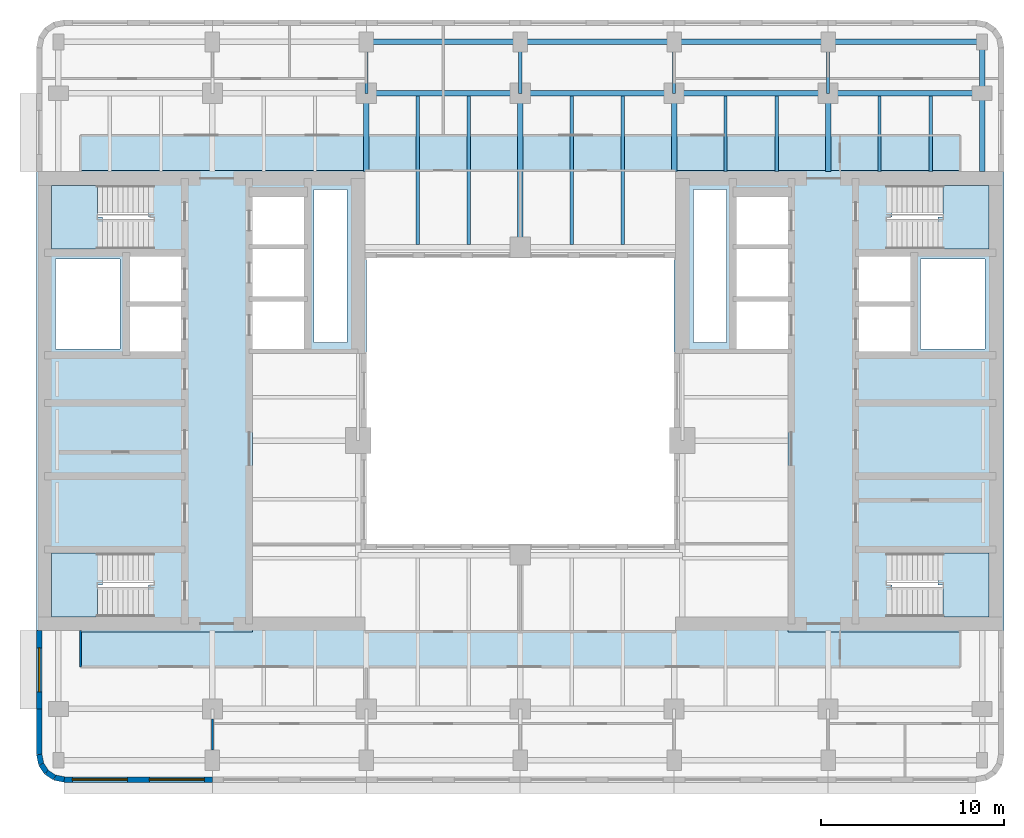
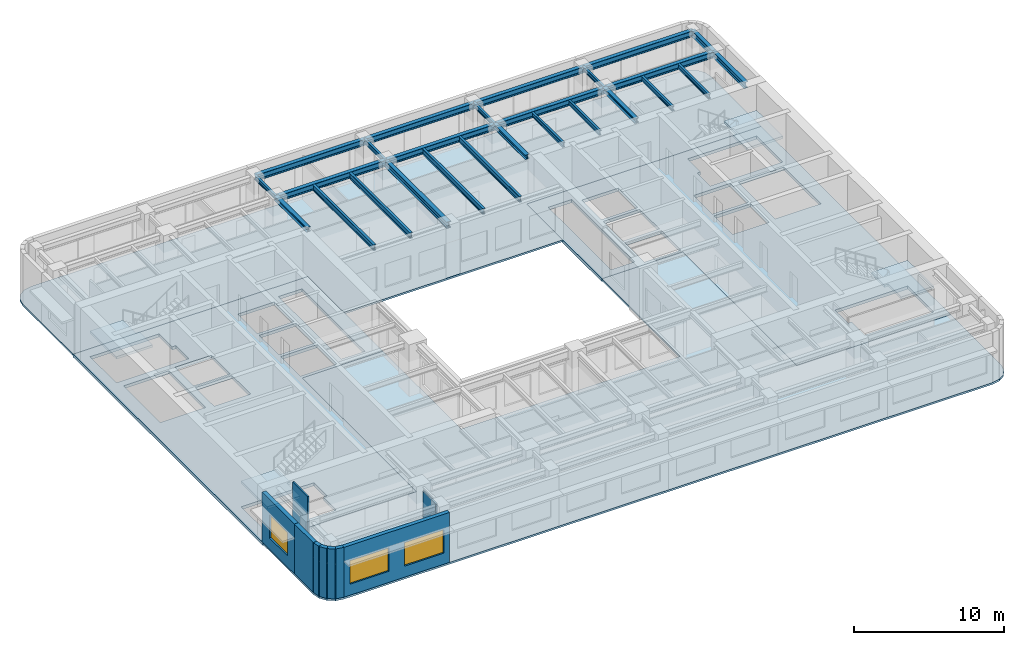
# One storey, part 2 of 11: 26 beams, 9 walls, 8 slabs, 3 windows, 3 openings, 4 elements without a shape of their own.
"""IFC4 building model written with IfcOpenShell, lengths in metres."""

from ifc_helpers import new_model, si_unit, direction, frame, frame_2d, origin, origin_2d, place, context, subcontext, project, spatial, polyline, rectangle, i_section, outline, extrude, material, layer, layer_set, material_profile, profile_set, type_object, element, fill, aggregate, save


model = new_model("IFC4")

# Units and contexts
model_context = context("Model", 3, precision=1e-05, world=origin(), true_north=direction((0.0, 1.0)))
body_context = subcontext(model_context, "Body", "Model", "MODEL_VIEW")
ifc_project = project(units=[si_unit("LENGTHUNIT", "METRE"), si_unit("AREAUNIT", "SQUARE_METRE"), si_unit("VOLUMEUNIT", "CUBIC_METRE"), si_unit("PLANEANGLEUNIT", "RADIAN"), si_unit("MASSUNIT", "GRAM", prefix="KILO")], contexts=[model_context])

# Site, building, storey
site_placement = place(None, origin())
site = spatial("IfcSite", under=ifc_project, at=site_placement, CompositionType="ELEMENT")
building_placement = place(site_placement, origin())
building = spatial("IfcBuilding", under=site, at=building_placement, Name="Claustro Exchange Tower", CompositionType="ELEMENT")
storey_placement = place(building_placement, frame((0.0, 0.0, 215.39990234375)))
storey = spatial("IfcBuildingStorey", under=building, at=storey_placement, Name="L49", CompositionType="ELEMENT", Elevation=215.39990234375)

# Beams
ifc_material_1 = material(Name="Steel S355", Category="steel")
ifc_material_profile_1 = material_profile(ifc_material_1, i_section(OverallWidth=0.169921875, OverallDepth=0.360107421875, WebThickness=0.008056640625, FlangeThickness=0.0126953125, FilletRadius=0.01806640625, at=origin_2d()), Name="IPE 360")
ifc_profile_set_1 = profile_set([ifc_material_profile_1], Name="Steel S355")
beam_type_1 = type_object("IfcBeamType", Name="B16 IPE 360 short-span beam", PredefinedType="BEAM", material=ifc_profile_set_1)
for number, where, z_axis, x_axis, name in (
    (1, (16.800048828125, 42.0, 3.8701171875), (0.0, 1.0, 0.0), (-1.0, 0.0, 0.0), "Beam B16 L50"),
    (2, (25.199951171875, 42.0, 3.8701171875), (0.0, 1.0, 0.0), (-1.0, 0.0, 0.0), "Beam B16 L50"),
    (3, (33.60009765625, 42.0, 3.8701171875), (0.0, 1.0, 0.0), (-1.0, 0.0, 0.0), "Beam B16 L50"),
    (4, (42.0, 42.0, 3.8701171875), (0.0, 1.0, 0.0), (-1.0, 0.0, 0.0), "Beam B16 L50"),
):
    element("IfcBeam", number, at=place(storey_placement, frame(where, z_axis=z_axis, x_axis=x_axis)), inside=storey, type_object=beam_type_1, Name=name, PredefinedType="BEAM", context=body_context, shape_type="SweptSolid", body=[
        extrude(i_section(OverallWidth=0.169921875, OverallDepth=0.360107421875, WebThickness=0.008056640625, FlangeThickness=0.0126953125, FilletRadius=0.01806640625, at=origin_2d()), origin(), (0.0, 0.0, 1.0), 2.800048828125),
    ])
for number, where, z_axis, x_axis, name in (
    (5, (36.39990234375, 37.72509765625, 3.8701171875), (0.0, 1.0, 0.0), (-1.0, 0.0, 0.0), "Beam B16 L50"),
    (6, (39.199951171875, 37.72509765625, 3.8701171875), (0.0, 1.0, 0.0), (-1.0, 0.0, 0.0), "Beam B16 L50"),
    (7, (44.800048828125, 37.72509765625, 3.8701171875), (0.0, 1.0, 0.0), (-1.0, 0.0, 0.0), "Beam B16 L50"),
    (8, (47.60009765625, 37.72509765625, 3.8701171875), (0.0, 1.0, 0.0), (-1.0, 0.0, 0.0), "Beam B16 L50"),
):
    element("IfcBeam", number, at=place(storey_placement, frame(where, z_axis=z_axis, x_axis=x_axis)), inside=storey, type_object=beam_type_1, Name=name, PredefinedType="BEAM", context=body_context, shape_type="SweptSolid", body=[
        extrude(i_section(OverallWidth=0.169921875, OverallDepth=0.360107421875, WebThickness=0.008056640625, FlangeThickness=0.0126953125, FilletRadius=0.01806640625, at=origin_2d()), origin(), (0.0, 0.0, 1.0), 4.125),
    ])
ifc_material_2 = material(Name="Steel S355", Category="steel")
ifc_material_profile_2 = material_profile(ifc_material_2, i_section(OverallWidth=0.300048828125, OverallDepth=0.360107421875, WebThickness=0.012451171875, FlangeThickness=0.0224609375, FilletRadius=0.027099609375, at=origin_2d()), Name="HE 360 B")
ifc_profile_set_2 = profile_set([ifc_material_profile_2], Name="Steel S355")
beam_type_2 = type_object("IfcBeamType", Name="B29 HE 360 B column to core link beam", PredefinedType="BEAM", material=ifc_profile_set_2)
for number, where, z_axis, x_axis, name in (
    (9, (16.800048828125, 37.72509765625, 3.8701171875), (0.0, 1.0, 0.0), (-1.0, 0.0, 0.0), "Beam B29 L50"),
    (10, (33.60009765625, 37.72509765625, 3.8701171875), (0.0, 1.0, 0.0), (-1.0, 0.0, 0.0), "Beam B29 L50"),
    (11, (42.0, 37.72509765625, 3.8701171875), (0.0, 1.0, 0.0), (-1.0, 0.0, 0.0), "Beam B29 L50"),
):
    element("IfcBeam", number, at=place(storey_placement, frame(where, z_axis=z_axis, x_axis=x_axis)), inside=storey, type_object=beam_type_2, Name=name, PredefinedType="BEAM", context=body_context, shape_type="SweptSolid", body=[
        extrude(i_section(OverallWidth=0.300048828125, OverallDepth=0.360107421875, WebThickness=0.012451171875, FlangeThickness=0.0224609375, FilletRadius=0.027099609375, at=origin_2d()), origin(), (0.0, 0.0, 1.0), 4.27490234375),
    ])
ifc_material_3 = material(Name="Steel S355", Category="steel")
ifc_material_profile_3 = material_profile(ifc_material_3, i_section(OverallWidth=0.300048828125, OverallDepth=0.5, WebThickness=0.014404296875, FlangeThickness=0.028076171875, FilletRadius=0.027099609375, at=origin_2d()), Name="HE 500 B")
ifc_profile_set_3 = profile_set([ifc_material_profile_3], Name="Steel S355")
beam_type_3 = type_object("IfcBeamType", Name="B7 HE 500 B floor girder", PredefinedType="BEAM", material=ifc_profile_set_3)
for number, where, z_axis, x_axis, name in (
    (12, (25.199951171875, 33.60009765625, 3.800048828125), (0.0, 1.0, 0.0), (-1.0, 0.0, 0.0), "Beam B7 L50"),
    (13, (16.800048828125, 42.0, 3.800048828125), (1.0, 0.0, 0.0), (0.0, 1.0, 0.0), "Beam B7 L50"),
):
    element("IfcBeam", number, at=place(storey_placement, frame(where, z_axis=z_axis, x_axis=x_axis)), inside=storey, type_object=beam_type_3, Name=name, PredefinedType="BEAM", context=body_context, shape_type="SweptSolid", body=[
        extrude(i_section(OverallWidth=0.300048828125, OverallDepth=0.5, WebThickness=0.014404296875, FlangeThickness=0.028076171875, FilletRadius=0.027099609375, at=origin_2d()), origin(), (0.0, 0.0, 1.0), 8.39990234375),
    ])
beam_1_placement = place(storey_placement, frame((25.199951171875, 42.0, 3.800048828125), z_axis=(1.0, 0.0, 0.0), x_axis=(0.0, 1.0, 0.0)))
element("IfcBeam", 14, at=beam_1_placement, inside=storey, type_object=beam_type_3, Name="Beam B7 L50", PredefinedType="BEAM", context=body_context, shape_type="SweptSolid", body=[
    extrude(i_section(OverallWidth=0.300048828125, OverallDepth=0.5, WebThickness=0.014404296875, FlangeThickness=0.028076171875, FilletRadius=0.027099609375, at=origin_2d()), origin(), (0.0, 0.0, 1.0), 8.400146484375),
])
for number, where, z_axis, x_axis, name in (
    (15, (33.60009765625, 42.0, 3.800048828125), (1.0, 0.0, 0.0), (0.0, 1.0, 0.0), "Beam B7 L50"),
    (16, (42.0, 42.0, 3.800048828125), (1.0, 0.0, 0.0), (0.0, 1.0, 0.0), "Beam B7 L50"),
):
    element("IfcBeam", number, at=place(storey_placement, frame(where, z_axis=z_axis, x_axis=x_axis)), inside=storey, type_object=beam_type_3, Name=name, PredefinedType="BEAM", context=body_context, shape_type="SweptSolid", body=[
        extrude(i_section(OverallWidth=0.300048828125, OverallDepth=0.5, WebThickness=0.014404296875, FlangeThickness=0.028076171875, FilletRadius=0.027099609375, at=origin_2d()), origin(), (0.0, 0.0, 1.0), 8.39990234375),
    ])
ifc_material_4 = material(Name="Steel S355", Category="steel")
ifc_material_profile_4 = material_profile(ifc_material_4, i_section(OverallWidth=0.18994140625, OverallDepth=0.449951171875, WebThickness=0.009521484375, FlangeThickness=0.0146484375, FilletRadius=0.02099609375, at=origin_2d()), Name="IPE 450")
ifc_profile_set_4 = profile_set([ifc_material_profile_4], Name="Steel S355")
beam_type_4 = type_object("IfcBeamType", Name="B8 IPE 450 secondary beam", PredefinedType="BEAM", material=ifc_profile_set_4)
for number, where, z_axis, x_axis, name in (
    (17, (19.60009765625, 33.75, 3.8251953125), (0.0, 1.0, 0.0), (-1.0, 0.0, 0.0), "Beam B8 L50"),
    (18, (22.39990234375, 33.75, 3.8251953125), (0.0, 1.0, 0.0), (-1.0, 0.0, 0.0), "Beam B8 L50"),
    (19, (28.0, 33.75, 3.8251953125), (0.0, 1.0, 0.0), (-1.0, 0.0, 0.0), "Beam B8 L50"),
    (20, (30.800048828125, 33.75, 3.8251953125), (0.0, 1.0, 0.0), (-1.0, 0.0, 0.0), "Beam B8 L50"),
):
    element("IfcBeam", number, at=place(storey_placement, frame(where, z_axis=z_axis, x_axis=x_axis)), inside=storey, type_object=beam_type_4, Name=name, PredefinedType="BEAM", context=body_context, shape_type="SweptSolid", body=[
        extrude(i_section(OverallWidth=0.18994140625, OverallDepth=0.449951171875, WebThickness=0.009521484375, FlangeThickness=0.0146484375, FilletRadius=0.02099609375, at=origin_2d()), origin(), (0.0, 0.0, 1.0), 8.10009765625),
    ])
ifc_material_5 = material(Name="Steel S355", Category="steel")
ifc_material_profile_5 = material_profile(ifc_material_5, i_section(OverallWidth=0.300048828125, OverallDepth=0.489990234375, WebThickness=0.011962890625, FlangeThickness=0.02294921875, FilletRadius=0.027099609375, at=origin_2d()), Name="HE 500 A")
ifc_profile_set_5 = profile_set([ifc_material_profile_5], Name="Steel S355")
beam_type_5 = type_object("IfcBeamType", Name="B9 HE 500 A spandrel edge girder", PredefinedType="SPANDREL", material=ifc_profile_set_5)
beam_2_placement = place(storey_placement, frame((50.39990234375, 37.72509765625, 3.80517578125), z_axis=(0.0, 1.0, 0.0), x_axis=(-1.0, 0.0, 0.0)))
element("IfcBeam", 21, at=beam_2_placement, inside=storey, type_object=beam_type_5, Name="Beam B9 L50", PredefinedType="SPANDREL", context=body_context, shape_type="SweptSolid", body=[
    extrude(i_section(OverallWidth=0.300048828125, OverallDepth=0.489990234375, WebThickness=0.011962890625, FlangeThickness=0.02294921875, FilletRadius=0.027099609375, at=origin_2d()), origin(), (0.0, 0.0, 1.0), 4.27490234375),
])
beam_3_placement = place(storey_placement, frame((50.39990234375, 42.0, 3.80517578125), z_axis=(0.0, 1.0, 0.0), x_axis=(-1.0, 0.0, 0.0)))
element("IfcBeam", 22, at=beam_3_placement, inside=storey, type_object=beam_type_5, Name="Beam B9 L50", PredefinedType="SPANDREL", context=body_context, shape_type="SweptSolid", body=[
    extrude(i_section(OverallWidth=0.300048828125, OverallDepth=0.489990234375, WebThickness=0.011962890625, FlangeThickness=0.02294921875, FilletRadius=0.027099609375, at=origin_2d()), origin(), (0.0, 0.0, 1.0), 2.800048828125),
])
beam_4_placement = place(storey_placement, frame((16.800048828125, 44.800048828125, 3.80517578125), z_axis=(1.0, 0.0, 0.0), x_axis=(0.0, 1.0, 0.0)))
element("IfcBeam", 23, at=beam_4_placement, inside=storey, type_object=beam_type_5, Name="Beam B9 L50", PredefinedType="SPANDREL", context=body_context, shape_type="SweptSolid", body=[
    extrude(i_section(OverallWidth=0.300048828125, OverallDepth=0.489990234375, WebThickness=0.011962890625, FlangeThickness=0.02294921875, FilletRadius=0.027099609375, at=origin_2d()), origin(), (0.0, 0.0, 1.0), 8.39990234375),
])
beam_5_placement = place(storey_placement, frame((25.199951171875, 44.800048828125, 3.80517578125), z_axis=(1.0, 0.0, 0.0), x_axis=(0.0, 1.0, 0.0)))
element("IfcBeam", 24, at=beam_5_placement, inside=storey, type_object=beam_type_5, Name="Beam B9 L50", PredefinedType="SPANDREL", context=body_context, shape_type="SweptSolid", body=[
    extrude(i_section(OverallWidth=0.300048828125, OverallDepth=0.489990234375, WebThickness=0.011962890625, FlangeThickness=0.02294921875, FilletRadius=0.027099609375, at=origin_2d()), origin(), (0.0, 0.0, 1.0), 8.400146484375),
])
for number, where, z_axis, x_axis, name in (
    (25, (33.60009765625, 44.800048828125, 3.80517578125), (1.0, 0.0, 0.0), (0.0, 1.0, 0.0), "Beam B9 L50"),
    (26, (42.0, 44.800048828125, 3.80517578125), (1.0, 0.0, 0.0), (0.0, 1.0, 0.0), "Beam B9 L50"),
):
    element("IfcBeam", number, at=place(storey_placement, frame(where, z_axis=z_axis, x_axis=x_axis)), inside=storey, type_object=beam_type_5, Name=name, PredefinedType="SPANDREL", context=body_context, shape_type="SweptSolid", body=[
        extrude(i_section(OverallWidth=0.300048828125, OverallDepth=0.489990234375, WebThickness=0.011962890625, FlangeThickness=0.02294921875, FilletRadius=0.027099609375, at=origin_2d()), origin(), (0.0, 0.0, 1.0), 8.39990234375),
    ])

# Slabs
ifc_material_6 = material(Name="Concrete HA-50 (C50/60)", Category="concrete")
ifc_layer_1 = layer(ifc_material_6, 0.14990234375)
ifc_layer_set_1 = layer_set([ifc_layer_1], Name="Concrete HA-50 (C50/60)")
slab_type_1 = type_object("IfcSlabType", Name="S2 150 composite floor slab", PredefinedType="FLOOR", material=ifc_layer_set_1)
slab_1_placement = place(storey_placement, frame((0.0, 0.0, -0.14990234375)))
element("IfcSlab", 27, at=slab_1_placement, inside=storey, type_object=slab_type_1, Name="Floor slab S2 S L49", PredefinedType="FLOOR", context=body_context, shape_type="SweptSolid", body=[
    extrude(outline(polyline([(-0.27392578125, 4.51416015625), (0.300048828125, 4.39990234375), (50.10009765625, 4.39990234375), (50.674072265625, 4.51416015625), (51.16064453125, 4.83935546875), (51.48583984375, 5.325927734375), (51.60009765625, 5.89990234375), (51.60009765625, 12.60009765625), (39.800048828125, 12.60009765625), (39.800048828125, 27.800048828125), (33.60009765625, 27.800048828125), (33.60009765625, 17.39990234375), (16.800048828125, 17.39990234375), (16.800048828125, 27.800048828125), (10.60009765625, 27.800048828125), (10.60009765625, 12.60009765625), (-1.199951171875, 12.60009765625), (-1.199951171875, 5.89990234375), (-1.085693359375, 5.325927734375), (-0.7607421875, 4.83935546875), (-0.27392578125, 4.51416015625)])), origin(), (0.0, 0.0, 1.0), 0.14990234375),
])
slab_2_placement = place(storey_placement, frame((0.0, 0.0, -0.14990234375)))
element("IfcSlab", 28, at=slab_2_placement, inside=storey, type_object=slab_type_1, Name="Floor slab S2 N L49", PredefinedType="FLOOR", context=body_context, shape_type="SweptSolid", body=[
    extrude(outline(polyline([(16.800048828125, 37.800048828125), (16.800048828125, 33.0), (33.60009765625, 33.0), (33.60009765625, 37.800048828125), (51.60009765625, 37.800048828125), (51.60009765625, 44.5), (51.48583984375, 45.073974609375), (51.16064453125, 45.560791015625), (50.674072265625, 45.8857421875), (50.10009765625, 46.0), (0.300048828125, 46.0), (-0.27392578125, 45.8857421875), (-0.7607421875, 45.560791015625), (-1.085693359375, 45.073974609375), (-1.199951171875, 44.5), (-1.199951171875, 37.800048828125), (16.800048828125, 37.800048828125)])), origin(), (0.0, 0.0, 1.0), 0.14990234375),
])
ifc_material_7 = material(Name="Concrete HA-50 (C50/60)", Category="concrete")
ifc_layer_2 = layer(ifc_material_7, 0.25)
ifc_layer_set_2 = layer_set([ifc_layer_2], Name="Concrete HA-50 (C50/60)")
slab_type_2 = type_object("IfcSlabType", Name="S7 250 core floor slab", PredefinedType="FLOOR", material=ifc_layer_set_2)
slab_3_placement = place(storey_placement, frame((0.0, 0.0, -0.25)))
element("IfcSlab", 29, at=slab_3_placement, inside=storey, type_object=slab_type_2, Name="Core floor slab S7 W core L49", PredefinedType="FLOOR", context=body_context, shape_type="SweptSolid", body=[
    extrude(outline(polyline([(-1.199951171875, 37.800048828125), (-1.199951171875, 12.60009765625), (10.60009765625, 12.60009765625), (10.60009765625, 27.800048828125), (16.800048828125, 27.800048828125), (16.800048828125, 37.800048828125), (-1.199951171875, 37.800048828125)]), holes=[polyline([(13.949951171875, 36.75), (15.75, 36.75), (15.75, 28.39990234375), (13.949951171875, 28.39990234375), (13.949951171875, 36.75)]), polyline([(10.60009765625, 30.64990234375), (13.39990234375, 30.64990234375), (13.39990234375, 28.050048828125), (10.60009765625, 28.050048828125), (10.60009765625, 30.64990234375)]), polyline([(10.60009765625, 33.5), (13.39990234375, 33.5), (13.39990234375, 30.89990234375), (10.60009765625, 30.89990234375), (10.60009765625, 33.5)]), polyline([(13.39990234375, 36.35009765625), (13.39990234375, 33.75), (10.60009765625, 33.75), (10.60009765625, 36.35009765625), (13.39990234375, 36.35009765625)]), polyline([(3.89990234375, 30.375), (6.699951171875, 30.375), (6.699951171875, 27.89990234375), (3.89990234375, 27.89990234375), (3.89990234375, 30.375)]), polyline([(3.89990234375, 33.10009765625), (6.699951171875, 33.10009765625), (6.699951171875, 30.625), (3.89990234375, 30.625), (3.89990234375, 33.10009765625)]), polyline([(-0.375, 15.16259765625), (-0.375, 16.89990234375), (5.195068359375, 16.89990234375), (5.195068359375, 15.16259765625), (4.919921875, 15.16259765625), (4.919921875, 13.425048828125), (-0.375, 13.425048828125), (-0.375, 15.16259765625)]), polyline([(-0.375, 35.237548828125), (-0.375, 36.97509765625), (4.919921875, 36.97509765625), (4.919921875, 35.237548828125), (5.195068359375, 35.237548828125), (5.195068359375, 33.5), (-0.375, 33.5), (-0.375, 35.237548828125)]), polyline([(-0.14990234375, 32.949951171875), (3.35009765625, 32.949951171875), (3.35009765625, 28.050048828125), (-0.14990234375, 28.050048828125), (-0.14990234375, 32.949951171875)])]), origin(), (0.0, 0.0, 1.0), 0.25),
])
slab_4_placement = place(storey_placement, frame((0.0, 0.0, -0.25)))
element("IfcSlab", 30, at=slab_4_placement, inside=storey, type_object=slab_type_2, Name="Core floor slab S7 E core L49", PredefinedType="FLOOR", context=body_context, shape_type="SweptSolid", body=[
    extrude(outline(polyline([(51.60009765625, 37.800048828125), (33.60009765625, 37.800048828125), (33.60009765625, 27.800048828125), (39.800048828125, 27.800048828125), (39.800048828125, 12.60009765625), (51.60009765625, 12.60009765625), (51.60009765625, 37.800048828125)]), holes=[polyline([(45.47998046875, 15.16259765625), (45.205078125, 15.16259765625), (45.205078125, 16.89990234375), (50.77490234375, 16.89990234375), (50.77490234375, 15.16259765625), (50.77490234375, 13.425048828125), (45.47998046875, 13.425048828125), (45.47998046875, 15.16259765625)]), polyline([(45.47998046875, 35.237548828125), (45.47998046875, 36.97509765625), (50.77490234375, 36.97509765625), (50.77490234375, 35.237548828125), (50.77490234375, 33.5), (45.205078125, 33.5), (45.205078125, 35.237548828125), (45.47998046875, 35.237548828125)]), polyline([(47.050048828125, 32.949951171875), (50.550048828125, 32.949951171875), (50.550048828125, 28.050048828125), (47.050048828125, 28.050048828125), (47.050048828125, 32.949951171875)]), polyline([(43.699951171875, 30.375), (46.5, 30.375), (46.5, 27.89990234375), (43.699951171875, 27.89990234375), (43.699951171875, 30.375)]), polyline([(43.699951171875, 33.10009765625), (46.5, 33.10009765625), (46.5, 30.625), (43.699951171875, 30.625), (43.699951171875, 33.10009765625)]), polyline([(37.0, 30.64990234375), (39.800048828125, 30.64990234375), (39.800048828125, 28.050048828125), (37.0, 28.050048828125), (37.0, 30.64990234375)]), polyline([(37.0, 33.5), (39.800048828125, 33.5), (39.800048828125, 30.89990234375), (37.0, 30.89990234375), (37.0, 33.5)]), polyline([(39.800048828125, 36.35009765625), (39.800048828125, 33.75), (37.0, 33.75), (37.0, 36.35009765625), (39.800048828125, 36.35009765625)]), polyline([(34.64990234375, 36.75), (36.449951171875, 36.75), (36.449951171875, 28.39990234375), (34.64990234375, 28.39990234375), (34.64990234375, 36.75)])]), origin(), (0.0, 0.0, 1.0), 0.25),
])

# Stair, slab
ifc_material_8 = material(Name="Concrete HA-30 (C30/37), precast", Category="concrete")
stair_type = type_object("IfcStairType", Name="ST1 half-turn stair, 24 risers of 175", PredefinedType="HALF_TURN_STAIR", material=ifc_material_8)
stair_1_placement = place(storey_placement, origin())
stair_1 = element("IfcStair", 31, at=stair_1_placement, inside=storey, type_object=stair_type, Name="Stair STWA L49", PredefinedType="HALF_TURN_STAIR")
ifc_material_9 = material(Name="Concrete HA-30 (C30/37), precast", Category="concrete")
ifc_layer_3 = layer(ifc_material_9, 0.199951171875)
ifc_layer_set_3 = layer_set([ifc_layer_3], Name="Concrete HA-30 (C30/37), precast")
slab_type_3 = type_object("IfcSlabType", Name="S9 200 stair landing", PredefinedType="LANDING", material=ifc_layer_set_3)
slab_5_placement = place(storey_placement, frame((0.0, 0.0, 1.900146484375)))
slab_5 = element("IfcSlab", 32, at=slab_5_placement, type_object=slab_type_3, Name="STWA landing 1", PredefinedType="LANDING", context=body_context, shape_type="SweptSolid", body=[
    extrude(outline(polyline([(2.125, 13.425048828125), (-0.375, 13.425048828125), (-0.375, 16.89990234375), (2.1201171875, 16.89990234375), (2.125, 16.89990234375), (2.39990234375, 16.89990234375), (2.39990234375, 15.16259765625), (2.125, 15.16259765625), (2.125, 13.425048828125)])), origin(), (0.0, 0.0, 1.0), 0.199951171875),
])
aggregate(stair_1, [slab_5])

stair_2_placement = place(storey_placement, origin())
stair_2 = element("IfcStair", 33, at=stair_2_placement, inside=storey, type_object=stair_type, Name="Stair STWB L49", PredefinedType="HALF_TURN_STAIR")
slab_6_placement = place(storey_placement, frame((0.0, 0.0, 1.900146484375)))
slab_6 = element("IfcSlab", 34, at=slab_6_placement, type_object=slab_type_3, Name="STWB landing 1", PredefinedType="LANDING", context=body_context, shape_type="SweptSolid", body=[
    extrude(outline(polyline([(2.39990234375, 35.237548828125), (2.39990234375, 33.5), (2.125, 33.5), (2.1201171875, 33.5), (-0.375, 33.5), (-0.375, 36.97509765625), (2.125, 36.97509765625), (2.125, 35.237548828125), (2.39990234375, 35.237548828125)])), origin(), (0.0, 0.0, 1.0), 0.199951171875),
])
aggregate(stair_2, [slab_6])

stair_3_placement = place(storey_placement, origin())
stair_3 = element("IfcStair", 35, at=stair_3_placement, inside=storey, type_object=stair_type, Name="Stair STEA L49", PredefinedType="HALF_TURN_STAIR")
slab_7_placement = place(storey_placement, frame((0.0, 0.0, 1.900146484375)))
slab_7 = element("IfcSlab", 36, at=slab_7_placement, type_object=slab_type_3, Name="STEA landing 1", PredefinedType="LANDING", context=body_context, shape_type="SweptSolid", body=[
    extrude(outline(polyline([(50.77490234375, 16.89990234375), (50.77490234375, 13.425048828125), (48.27490234375, 13.425048828125), (48.27490234375, 15.16259765625), (48.0, 15.16259765625), (48.0, 16.89990234375), (48.27490234375, 16.89990234375), (48.280029296875, 16.89990234375), (50.77490234375, 16.89990234375)])), origin(), (0.0, 0.0, 1.0), 0.199951171875),
])
aggregate(stair_3, [slab_7])

stair_4_placement = place(storey_placement, origin())
stair_4 = element("IfcStair", 37, at=stair_4_placement, inside=storey, type_object=stair_type, Name="Stair STEB L49", PredefinedType="HALF_TURN_STAIR")
slab_8_placement = place(storey_placement, frame((0.0, 0.0, 1.900146484375)))
slab_8 = element("IfcSlab", 38, at=slab_8_placement, type_object=slab_type_3, Name="STEB landing 1", PredefinedType="LANDING", context=body_context, shape_type="SweptSolid", body=[
    extrude(outline(polyline([(48.0, 33.5), (48.0, 35.237548828125), (48.27490234375, 35.237548828125), (48.27490234375, 36.97509765625), (50.77490234375, 36.97509765625), (50.77490234375, 33.5), (48.280029296875, 33.5), (48.27490234375, 33.5), (48.0, 33.5)])), origin(), (0.0, 0.0, 1.0), 0.199951171875),
])
aggregate(stair_4, [slab_8])

# Walls
ifc_material_10 = material(Name="Laminated glass in aluminium frame", Category="aluminium")
ifc_layer_4 = layer(ifc_material_10, 0.1201171875)
ifc_layer_set_4 = layer_set([ifc_layer_4], Name="Laminated glass in aluminium frame")
wall_type_1 = type_object("IfcWallType", Name="P2 120 glazed partition", PredefinedType="PARTITIONING", material=ifc_layer_set_4)
wall_1_placement = place(storey_placement, frame((8.39990234375, 6.14892578125, 0.0), z_axis=(0.0, 0.0, 1.0), x_axis=(0.0, 1.0, 0.0)))
element("IfcWall", 39, at=wall_1_placement, inside=storey, type_object=wall_type_1, Name="Partition P2 L49", PredefinedType="PARTITIONING", context=body_context, shape_type="SweptSolid", body=[
    extrude(rectangle(XDim=1.703125, YDim=0.1201171875, at=frame_2d((0.8515625, 0.0))), origin(), (0.0, 0.0, 1.0), 3.690185546875),
])
wall_2_placement = place(storey_placement, frame((1.199951171875, 10.699951171875, 0.0), z_axis=(0.0, 0.0, 1.0), x_axis=(0.0, 1.0, 0.0)))
element("IfcWall", 40, at=wall_2_placement, inside=storey, type_object=wall_type_1, Name="Partition P2 L49", PredefinedType="PARTITIONING", context=body_context, shape_type="SweptSolid", body=[
    extrude(rectangle(XDim=1.97607421875, YDim=0.1201171875, at=frame_2d((0.988037109375, 0.0))), origin(), (0.0, 0.0, 1.0), 4.050048828125),
])

# Wall, openings, windows
ifc_material_11 = material(Name="Concrete HA-40 (C40/50), precast, white cement, acid-etched", Category="concrete")
ifc_layer_5 = layer(ifc_material_11, 0.300048828125)
ifc_layer_set_5 = layer_set([ifc_layer_5], Name="Concrete HA-40 (C40/50), precast, white cement, acid-etched")
wall_type_2 = type_object("IfcWallType", Name="PC1 300 precast concrete pier panel", PredefinedType="SOLIDWALL", material=ifc_layer_set_5)
wall_3_placement = place(storey_placement, frame((8.39990234375, 4.550048828125, 0.0), z_axis=(0.0, 0.0, 1.0), x_axis=(-1.0, 0.0, 0.0)))
wall_3 = element("IfcWall", 41, at=wall_3_placement, inside=storey, type_object=wall_type_2, Name="Precast pier panel PC1 L49", PredefinedType="SOLIDWALL", context=body_context, shape_type="SweptSolid", body=[
    extrude(rectangle(XDim=8.085205078125, YDim=0.300048828125, at=frame_2d((4.04248046875, 0.0))), origin(), (0.0, 0.0, 1.0), 4.050048828125),
])
opening_1_placement = place(wall_3_placement, frame((0.442626953125, 0.0, 0.89990234375)))
opening_1 = element("IfcOpeningElement", 42, at=opening_1_placement, cuts=wall_3, Name="Opening W1", PredefinedType="OPENING", context=body_context, shape_type="SweptSolid", body=[
    extrude(rectangle(XDim=3.0, YDim=1.89990234375, at=frame_2d((1.5, 0.949951171875))), frame((0.0, 0.159912109375, 0.0), z_axis=(0.0, -1.0, 0.0), x_axis=(1.0, 0.0, 0.0)), (0.0, 0.0, 1.0), 0.320068359375),
])
opening_2_placement = place(wall_3_placement, frame((4.642578125, 0.0, 0.89990234375)))
opening_2 = element("IfcOpeningElement", 43, at=opening_2_placement, cuts=wall_3, Name="Opening W1", PredefinedType="OPENING", context=body_context, shape_type="SweptSolid", body=[
    extrude(rectangle(XDim=3.0, YDim=1.89990234375, at=frame_2d((1.5, 0.949951171875))), frame((0.0, 0.159912109375, 0.0), z_axis=(0.0, -1.0, 0.0), x_axis=(1.0, 0.0, 0.0)), (0.0, 0.0, 1.0), 0.320068359375),
])
ifc_material_12 = material(Name="Aluminium frame, clear double glazing", Category="aluminium")
window_type_1 = type_object("IfcWindowType", Name="W1 3000 x 1900 window", PartitioningType="SINGLE_PANEL", PredefinedType="WINDOW", material=ifc_material_12)
window_1_placement = place(opening_1_placement, origin())
window_1 = element("IfcWindow", 44, at=window_1_placement, inside=storey, type_object=window_type_1, Name="Window W1 L49", OverallHeight=1.89990234375, OverallWidth=3.0, PartitioningType="SINGLE_PANEL", PredefinedType="WINDOW", context=body_context, shape_type="SweptSolid", body=[
    extrude(rectangle(XDim=3.0, YDim=1.89990234375, at=frame_2d((1.5, 0.949951171875))), frame((0.0, 0.030029296875, 0.0), z_axis=(0.0, -1.0, 0.0), x_axis=(1.0, 0.0, 0.0)), (0.0, 0.0, 1.0), 0.06005859375),
])
fill(opening_1, window_1)
window_2_placement = place(opening_2_placement, origin())
window_2 = element("IfcWindow", 45, at=window_2_placement, inside=storey, type_object=window_type_1, Name="Window W1 L49", OverallHeight=1.89990234375, OverallWidth=3.0, PartitioningType="SINGLE_PANEL", PredefinedType="WINDOW", context=body_context, shape_type="SweptSolid", body=[
    extrude(rectangle(XDim=3.0, YDim=1.89990234375, at=frame_2d((1.5, 0.949951171875))), frame((0.0, 0.030029296875, 0.0), z_axis=(0.0, -1.0, 0.0), x_axis=(1.0, 0.0, 0.0)), (0.0, 0.0, 1.0), 0.06005859375),
])
fill(opening_2, window_2)

# Walls
wall_4_placement = place(storey_placement, frame((0.314697265625, 4.550048828125, 0.0), z_axis=(0.0, 0.0, 1.0), x_axis=(-0.980788534345, 0.195073962632, 0.0)))
element("IfcWall", 46, at=wall_4_placement, inside=storey, type_object=wall_type_2, Name="Precast pier panel PC1 L49", PredefinedType="SOLIDWALL", context=body_context, shape_type="SweptSolid", body=[
    extrude(rectangle(XDim=0.540771484375, YDim=0.300048828125, at=frame_2d((0.2705078125, 0.0))), origin(), (0.0, 0.0, 1.0), 4.050048828125),
])
for number, where, z_axis, x_axis, name in (
    (47, (-0.215576171875, 4.655517578125, 0.0), (0.0, 0.0, 1.0), (-0.831478144188, 0.555557463938, 0.0), "Precast pier panel PC1 L49"),
    (48, (-0.652587890625, 4.947509765625, 0.0), (0.0, 0.0, 1.0), (-0.555557463938, 0.831478144188, 0.0), "Precast pier panel PC1 L49"),
):
    element("IfcWall", number, at=place(storey_placement, frame(where, z_axis=z_axis, x_axis=x_axis)), inside=storey, type_object=wall_type_2, Name=name, PredefinedType="SOLIDWALL", context=body_context, shape_type="SweptSolid", body=[
        extrude(rectangle(XDim=0.525634765625, YDim=0.300048828125, at=frame_2d((0.2626953125, 0.0))), origin(), (0.0, 0.0, 1.0), 4.050048828125),
    ])
wall_5_placement = place(storey_placement, frame((-0.944580078125, 5.384521484375, 0.0), z_axis=(0.0, 0.0, 1.0), x_axis=(-0.195073962632, 0.980788534345, 0.0)))
element("IfcWall", 49, at=wall_5_placement, inside=storey, type_object=wall_type_2, Name="Precast pier panel PC1 L49", PredefinedType="SOLIDWALL", context=body_context, shape_type="SweptSolid", body=[
    extrude(rectangle(XDim=0.540771484375, YDim=0.300048828125, at=frame_2d((0.2705078125, 0.0))), origin(), (0.0, 0.0, 1.0), 4.050048828125),
])
wall_6_placement = place(storey_placement, frame((-1.050048828125, 5.914794921875, 0.0), z_axis=(0.0, 0.0, 1.0), x_axis=(0.0, 1.0, 0.0)))
element("IfcWall", 50, at=wall_6_placement, inside=storey, type_object=wall_type_2, Name="Precast pier panel PC1 L49", PredefinedType="SOLIDWALL", context=body_context, shape_type="SweptSolid", body=[
    extrude(rectangle(XDim=2.485107421875, YDim=0.300048828125, at=frame_2d((1.24267578125, 0.0))), origin(), (0.0, 0.0, 1.0), 4.050048828125),
])

# Wall, opening, window
wall_7_placement = place(storey_placement, frame((-1.050048828125, 8.39990234375, 0.0), z_axis=(0.0, 0.0, 1.0), x_axis=(0.0, 1.0, 0.0)))
wall_7 = element("IfcWall", 51, at=wall_7_placement, inside=storey, type_object=wall_type_2, Name="Precast pier panel PC1 L49", PredefinedType="SOLIDWALL", context=body_context, shape_type="SweptSolid", body=[
    extrude(rectangle(XDim=4.275146484375, YDim=0.300048828125, at=frame_2d((2.1376953125, 0.0))), origin(), (0.0, 0.0, 1.0), 4.050048828125),
])
opening_3_placement = place(wall_7_placement, frame((0.9375, 0.0, 0.89990234375)))
opening_3 = element("IfcOpeningElement", 52, at=opening_3_placement, cuts=wall_7, Name="Opening W2", PredefinedType="OPENING", context=body_context, shape_type="SweptSolid", body=[
    extrude(rectangle(XDim=2.39990234375, YDim=1.89990234375, at=frame_2d((1.199951171875, 0.949951171875))), frame((0.0, 0.159912109375, 0.0), z_axis=(0.0, -1.0, 0.0), x_axis=(1.0, 0.0, 0.0)), (0.0, 0.0, 1.0), 0.320068359375),
])
ifc_material_13 = material(Name="Aluminium frame, clear double glazing", Category="aluminium")
window_type_2 = type_object("IfcWindowType", Name="W2 2400 x 1900 window", PartitioningType="SINGLE_PANEL", PredefinedType="WINDOW", material=ifc_material_13)
window_3_placement = place(opening_3_placement, origin())
window_3 = element("IfcWindow", 53, at=window_3_placement, inside=storey, type_object=window_type_2, Name="Window W2 L49", OverallHeight=1.89990234375, OverallWidth=2.39990234375, PartitioningType="SINGLE_PANEL", PredefinedType="WINDOW", context=body_context, shape_type="SweptSolid", body=[
    extrude(rectangle(XDim=2.39990234375, YDim=1.89990234375, at=frame_2d((1.199951171875, 0.949951171875))), frame((0.0, 0.030029296875, 0.0), z_axis=(0.0, -1.0, 0.0), x_axis=(1.0, 0.0, 0.0)), (0.0, 0.0, 1.0), 0.06005859375),
])
fill(opening_3, window_3)

save(model, "model.ifc")
